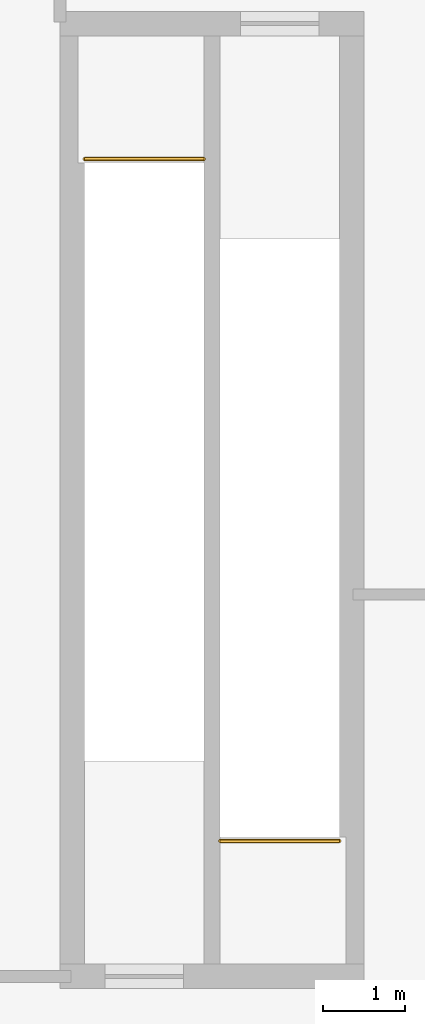
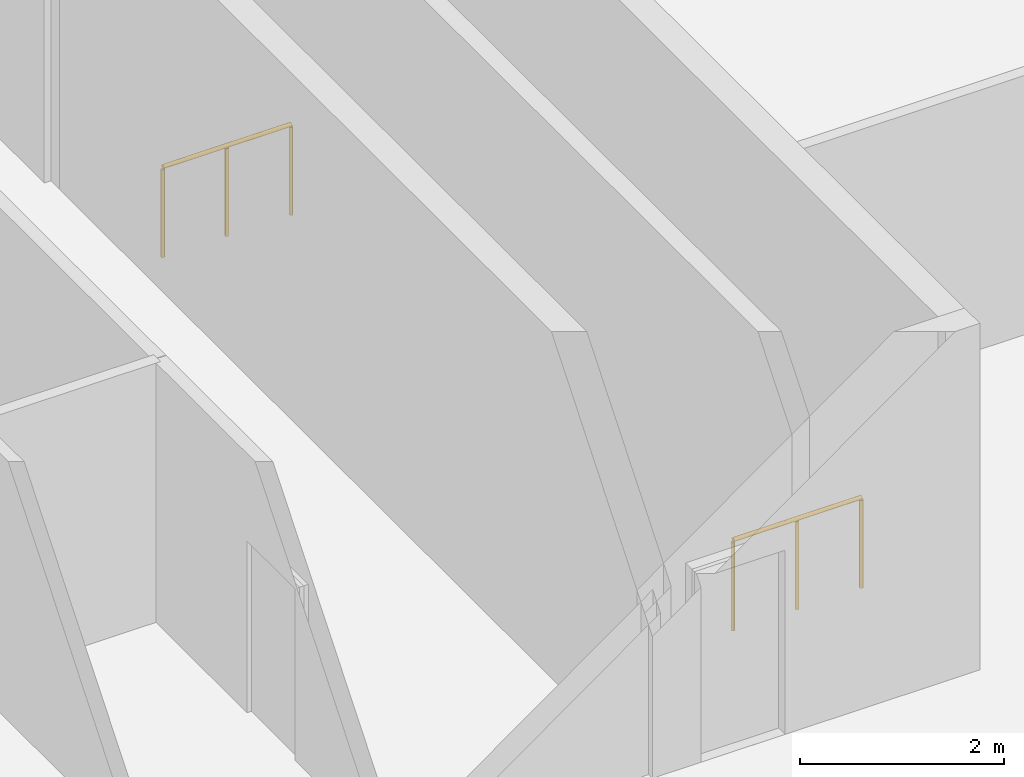
# One storey, part 43 of 43: 2 railings.
"""IFC4 building model written with IfcOpenShell, lengths in metres."""

from ifc_helpers import new_model, si_unit, direction, frame, origin, origin_2d, place, context, subcontext, project, spatial, circle, extrude, material, type_object, element, save


model = new_model("IFC4")

# Units and contexts
model_context = context("Model", 3, precision=1e-05, world=origin(), true_north=direction((0.0, 1.0)))
body_context = subcontext(model_context, "Body", "Model", "MODEL_VIEW")
ifc_project = project(units=[si_unit("LENGTHUNIT", "METRE"), si_unit("AREAUNIT", "SQUARE_METRE"), si_unit("VOLUMEUNIT", "CUBIC_METRE"), si_unit("PLANEANGLEUNIT", "RADIAN"), si_unit("MASSUNIT", "GRAM", prefix="KILO")], contexts=[model_context])

# Site, building, storey
site_placement = place(None, origin())
site = spatial("IfcSite", under=ifc_project, at=site_placement, CompositionType="ELEMENT")
building_placement = place(site_placement, origin())
building = spatial("IfcBuilding", under=site, at=building_placement, Name="Zarrinselat Tower", CompositionType="ELEMENT")
storey_placement = place(building_placement, frame((0.0, 0.0, 5.10009765625)))
storey = spatial("IfcBuildingStorey", under=building, at=storey_placement, Name="L01", CompositionType="ELEMENT", Elevation=5.10009765625)

# Railings
ifc_material = material(Name="Steel S355J2", Category="steel")
railing_type = type_object("IfcRailingType", Name="RLG-STAIR-GUARD", PredefinedType="GUARDRAIL", material=ifc_material)
for number, where, name in (
    (1, (69.300048828125, 15.5, 0.0), "L01 ST-4 top well guard 1"),
    (2, (67.64990234375, 23.800048828125, 0.0), "L01 ST-4 top well guard 2"),
):
    element("IfcRailing", number, at=place(storey_placement, frame(where)), inside=storey, type_object=railing_type, Name=name, PredefinedType="GUARDRAIL", context=body_context, shape_type="SweptSolid", body=[
        extrude(circle(Radius=0.02392578125, at=origin_2d()), frame((0.0, 0.0, 1.076171875), z_axis=(-1.0, 0.0, 0.0), x_axis=(0.0, -1.0, 0.0)), (0.0, 0.0, 1.0), 1.449951171875),
        extrude(circle(Radius=0.02099609375, at=origin_2d()), origin(), (0.0, 0.0, 1.0), 1.050048828125),
        extrude(circle(Radius=0.02099609375, at=origin_2d()), frame((-0.72509765625, 0.0, 0.0)), (0.0, 0.0, 1.0), 1.050048828125),
        extrude(circle(Radius=0.02099609375, at=origin_2d()), frame((-1.449951171875, 0.0, 0.0)), (0.0, 0.0, 1.0), 1.050048828125),
    ])

save(model, "model.ifc")
